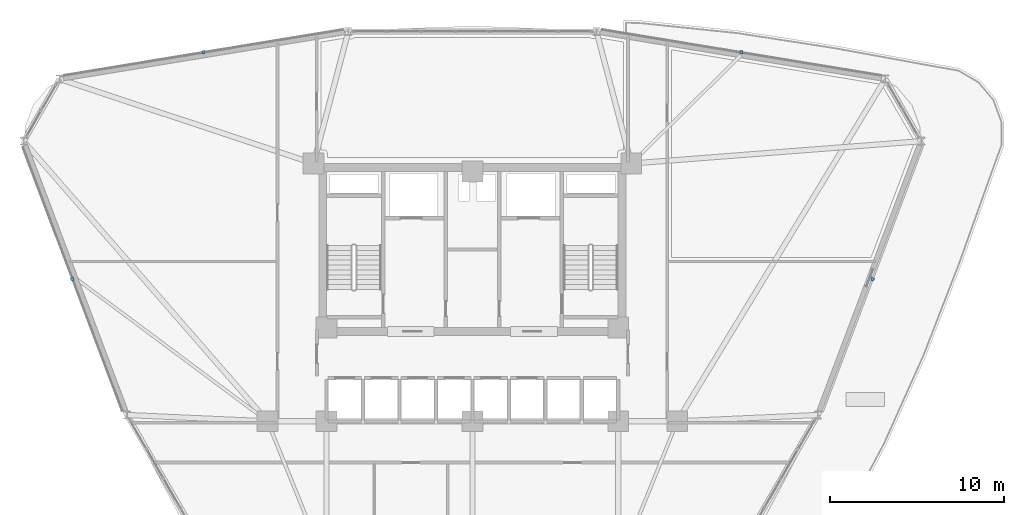
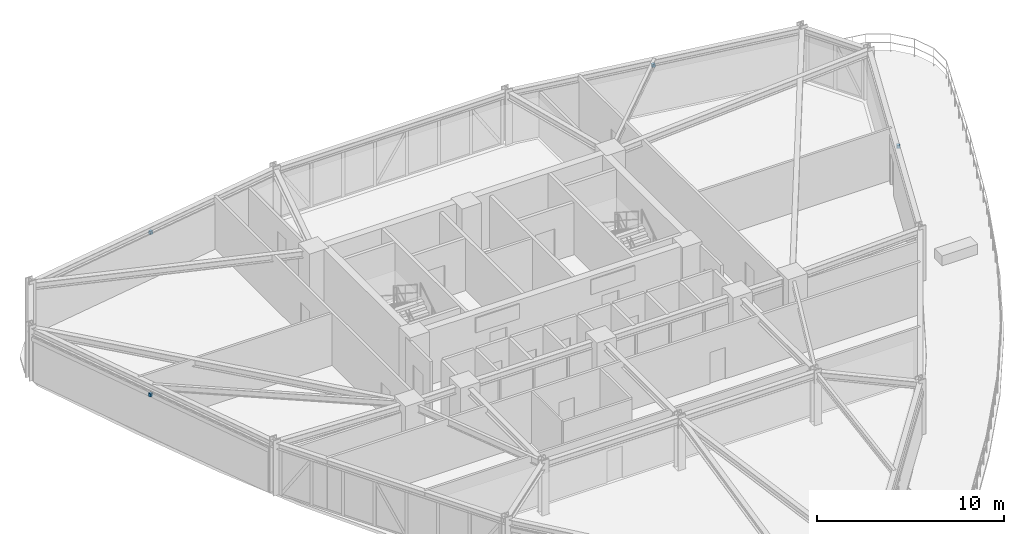
# One storey, part 20 of 23: 4 discrete accessories.
"""IFC4 building model written with IfcOpenShell, lengths in metres."""

from ifc_helpers import new_model, si_unit, derived_unit, direction, frame, origin, origin_2d, place, context, subcontext, project, spatial, rectangle, extrude, source, transform, mapped, material, type_object, element, save


model = new_model("IFC4")

# Units and contexts
model_context = context("Model", 3, precision=1e-05, world=origin(), true_north=direction((0.0, 1.0)))
body_context = subcontext(model_context, "Body", "Model", "MODEL_VIEW")
ifc_project = project(units=[si_unit("LENGTHUNIT", "METRE"), si_unit("AREAUNIT", "SQUARE_METRE"), si_unit("VOLUMEUNIT", "CUBIC_METRE"), si_unit("PLANEANGLEUNIT", "RADIAN"), si_unit("MASSUNIT", "GRAM", prefix="KILO"), derived_unit("THERMALTRANSMITTANCEUNIT", [(si_unit("POWERUNIT", "WATT"), 1), (si_unit("LENGTHUNIT", "METRE"), -2), (si_unit("THERMODYNAMICTEMPERATUREUNIT", "KELVIN"), -1)])], contexts=[model_context])

# Site, building, storey
site_placement = place(None, origin())
site = spatial("IfcSite", under=ifc_project, at=site_placement, CompositionType="ELEMENT")
building_placement = place(site_placement, origin())
building = spatial("IfcBuilding", under=site, at=building_placement, Name="Korsvarv Bourse and Concert Hall", CompositionType="ELEMENT")
storey_placement = place(building_placement, frame((0.0, 0.0, 99.0)))
storey = spatial("IfcBuildingStorey", under=building, at=storey_placement, Name="L24", CompositionType="ELEMENT", Elevation=99.0)

# Discrete accessories
ifc_material = material(Name="Stainless Steel S355 facade outrigger bracket", Category="steel")
discrete_accessory_type = type_object("IfcDiscreteAccessoryType", Name="ACC-BRK-1", PredefinedType="BRACKET", material=ifc_material)
shared_shape = source(origin(), body_context, "Body", "SweptSolid", [
    extrude(rectangle(XDim=0.179931640625, YDim=0.179931640625, at=origin_2d()), origin(), (0.0, 0.0, 1.0), 0.199951171875),
])
for number, where, z_axis, x_axis, name in (
    (1, (51.495361328125, 53.6630859375, 2.740234375), (0.0, 0.0, 1.0), (-0.986770965572, 0.162120515372, 0.0), "L24 terracotta sunshade bracket EW-L24-B02"),
    (2, (20.504638671875, 53.6630859375, 2.68994140625), (0.0, 0.0, 1.0), (-0.986770965572, -0.162120515372, 0.0), "L24 terracotta sunshade bracket EW-L24-B04"),
    (3, (12.955810546875, 40.587890625, 2.68994140625), (0.0, 0.0, 1.0), (0.352984997999, -0.935628981588, 0.0), "L24 terracotta sunshade bracket EW-L24-B06"),
    (4, (59.0537109375, 40.584228515625, 2.740234375), (0.0, 0.0, 1.0), (0.352984997999, 0.935628981588, 0.0), "L24 terracotta sunshade bracket EW-L24-B12"),
):
    element("IfcDiscreteAccessory", number, at=place(storey_placement, frame(where, z_axis=z_axis, x_axis=x_axis)), inside=storey, type_object=discrete_accessory_type, Name=name, PredefinedType="BRACKET", context=body_context, shape_type="MappedRepresentation", body=[
        mapped(shared_shape, transform((0.0, 0.0, 0.0), scale=1.0)),
    ])

save(model, "model.ifc")
